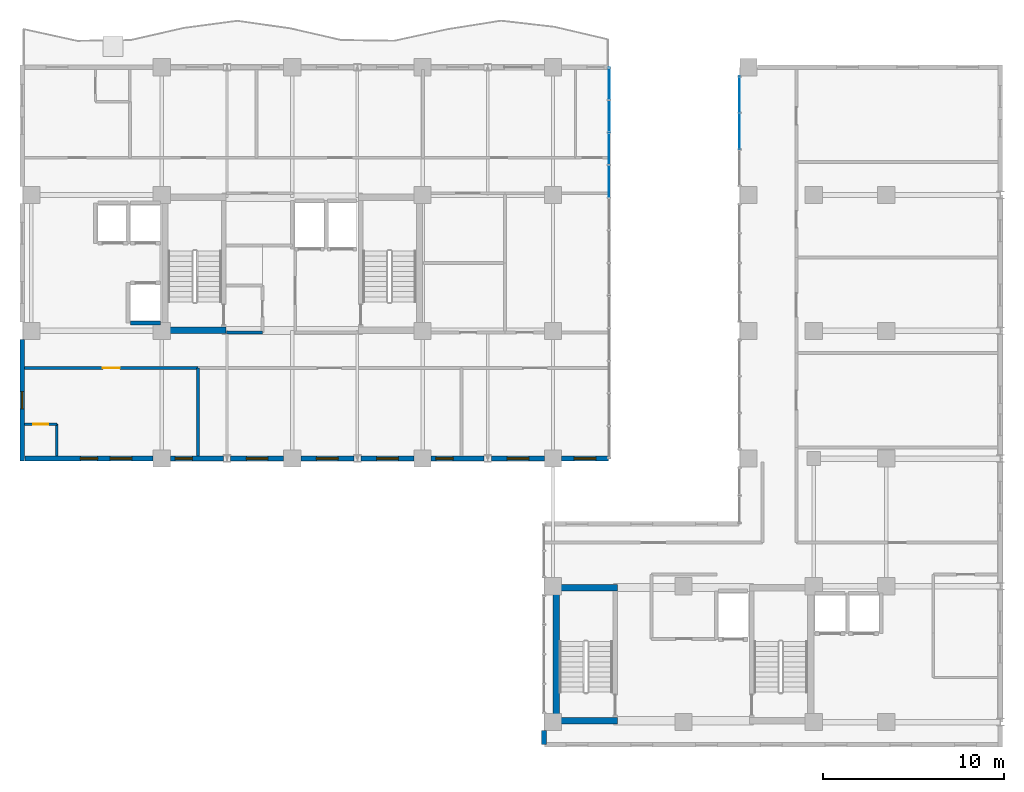
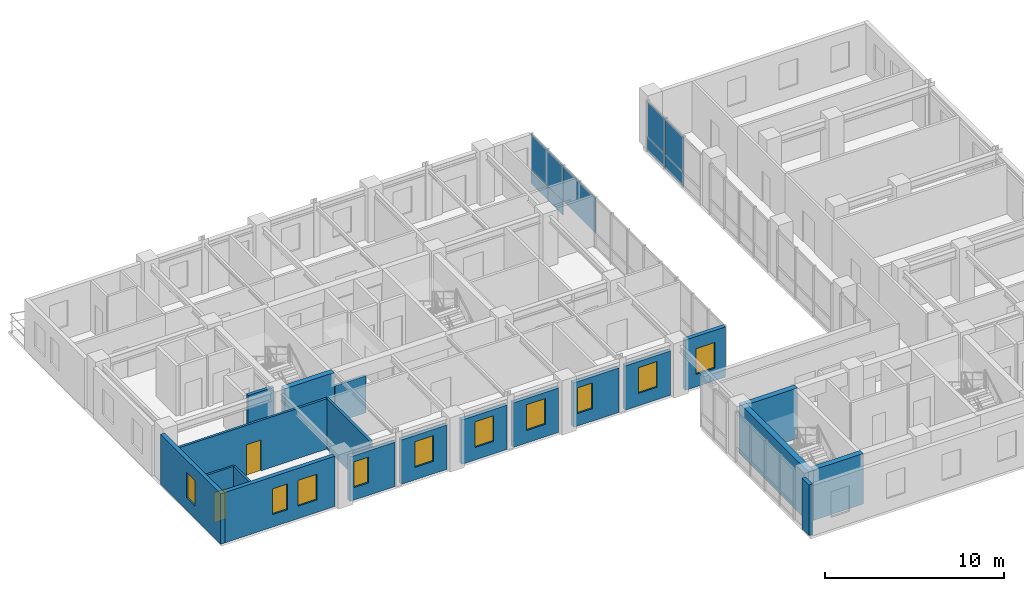
# One storey, part 16 of 24: 20 walls, 10 windows, 7 plates, 2 doors, 12 openings, 2 elements without a shape of their own.
"""IFC4 building model written with IfcOpenShell, lengths in metres."""

from ifc_helpers import new_model, si_unit, direction, frame, frame_2d, origin, origin_2d, place, context, subcontext, project, spatial, rectangle, extrude, source, transform, mapped, material, layer, layer_set, type_object, element, fill, aggregate, save


model = new_model("IFC4")

# Units and contexts
model_context = context("Model", 3, precision=1e-05, world=origin(), true_north=direction((0.0, 1.0)))
body_context = subcontext(model_context, "Body", "Model", "MODEL_VIEW")
ifc_project = project(units=[si_unit("LENGTHUNIT", "METRE"), si_unit("AREAUNIT", "SQUARE_METRE"), si_unit("VOLUMEUNIT", "CUBIC_METRE"), si_unit("PLANEANGLEUNIT", "RADIAN"), si_unit("MASSUNIT", "GRAM", prefix="KILO")], contexts=[model_context])

# Site, building, storey
site_placement = place(None, origin())
site = spatial("IfcSite", under=ifc_project, at=site_placement, CompositionType="ELEMENT")
building_placement = place(site_placement, origin())
building = spatial("IfcBuilding", under=site, at=building_placement, Name="Kaliganga Portal Commons", CompositionType="ELEMENT")
storey_placement = place(building_placement, frame((0.0, 0.0, 238.800048828125)))
storey = spatial("IfcBuildingStorey", under=building, at=storey_placement, Name="L61", CompositionType="ELEMENT", Elevation=238.800048828125)

# Curtain wall, plates
ifc_material_1 = material(Name="Anodized Aluminium and Laminated Low-E Glass", Category="aluminium")
ifc_layer_1 = layer(ifc_material_1, 0.239990234375)
ifc_layer_set_1 = layer_set([ifc_layer_1], Name="Anodized Aluminium and Laminated Low-E Glass")
curtain_wall_type = type_object("IfcCurtainWallType", Name="CW-SYS-04", PredefinedType="NOTDEFINED", material=ifc_layer_set_1)
curtain_wall_1_placement = place(storey_placement, origin())
curtain_wall_1 = element("IfcCurtainWall", 1, at=curtain_wall_1_placement, inside=storey, type_object=curtain_wall_type, Name="CW 04 L61 P1E01S1", PredefinedType="NOTDEFINED")
ifc_material_2 = material(Name="Insulated Dark Spandrel Panel", Category="metal")
ifc_layer_2 = layer(ifc_material_2, 0.044921875)
ifc_layer_set_2 = layer_set([ifc_layer_2], Name="Insulated Dark Spandrel Panel")
plate_type_1 = type_object("IfcPlateType", Name="PLT-SPN-45", PredefinedType="SHEET", material=ifc_layer_set_2)
shared_shape_1 = source(origin(), body_context, "Body", "SweptSolid", [
    extrude(rectangle(XDim=3.56005859375, YDim=0.044921875, at=origin_2d()), origin(), (0.0, 0.0, 1.0), 0.929931640625),
])
plate_1_placement = place(storey_placement, frame((39.10009765625, 41.39990234375, 0.009765625), z_axis=(0.0, 0.0, 1.0), x_axis=(0.0, 1.0, 0.0)))
plate_1 = element("IfcPlate", 2, at=plate_1_placement, type_object=plate_type_1, Name="CW:04:L61:P1E01S1 Spandrel 10", PredefinedType="SHEET", context=body_context, shape_type="MappedRepresentation", body=[
    mapped(shared_shape_1, transform((0.0, 0.0, 0.0), x_axis=(1.0, 0.0, 0.0), y_axis=(0.0, 1.0, 0.0), z_axis=(0.0, 0.0, 1.0), scale=1.0)),
])
ifc_material_3 = material(Name="Dark Solar-Control Laminated Low-E IGU", Category="glass")
ifc_layer_3 = layer(ifc_material_3, 0.028076171875)
ifc_layer_set_3 = layer_set([ifc_layer_3], Name="Dark Solar-Control Laminated Low-E IGU")
plate_type_2 = type_object("IfcPlateType", Name="PLT-GLZ-28", PredefinedType="CURTAIN_PANEL", material=ifc_layer_set_3)
shared_shape_2 = source(origin(), body_context, "Body", "SweptSolid", [
    extrude(rectangle(XDim=3.56005859375, YDim=0.028076171875, at=origin_2d()), origin(), (0.0, 0.0, 1.0), 2.389892578125),
])
plate_2_placement = place(storey_placement, frame((39.10009765625, 37.800048828125, 0.9599609375), z_axis=(0.0, 0.0, 1.0), x_axis=(0.0, 1.0, 0.0)))
plate_2 = element("IfcPlate", 3, at=plate_2_placement, type_object=plate_type_2, Name="CW:04:L61:P1E01S1 Vision IGU 08", PredefinedType="CURTAIN_PANEL", context=body_context, shape_type="MappedRepresentation", body=[
    mapped(shared_shape_2, transform((0.0, 0.0, 0.0), x_axis=(1.0, 0.0, 0.0), y_axis=(0.0, 1.0, 0.0), z_axis=(0.0, 0.0, 1.0), scale=1.0)),
])
plate_3_placement = place(storey_placement, frame((39.10009765625, 41.39990234375, 0.9599609375), z_axis=(0.0, 0.0, 1.0), x_axis=(0.0, 1.0, 0.0)))
plate_3 = element("IfcPlate", 4, at=plate_3_placement, type_object=plate_type_2, Name="CW:04:L61:P1E01S1 Vision IGU 10", PredefinedType="CURTAIN_PANEL", context=body_context, shape_type="MappedRepresentation", body=[
    mapped(shared_shape_2, transform((0.0, 0.0, 0.0), x_axis=(1.0, 0.0, 0.0), y_axis=(0.0, 1.0, 0.0), z_axis=(0.0, 0.0, 1.0), scale=1.0)),
])
aggregate(curtain_wall_1, [plate_2, plate_1, plate_3])

curtain_wall_2_placement = place(storey_placement, origin())
curtain_wall_2 = element("IfcCurtainWall", 5, at=curtain_wall_2_placement, inside=storey, type_object=curtain_wall_type, Name="CW 04 L61 P2E03S1", PredefinedType="NOTDEFINED")
shared_shape_3 = source(origin(), body_context, "Body", "SweptSolid", [
    extrude(rectangle(XDim=1.99267578125, YDim=0.044921875, at=origin_2d()), origin(), (0.0, 0.0, 1.0), 0.929931640625),
])
plate_4_placement = place(storey_placement, frame((46.300048828125, 41.707763671875, 0.009765625), z_axis=(0.0, 0.0, 1.0), x_axis=(0.0, -1.0, 0.0)))
plate_4 = element("IfcPlate", 6, at=plate_4_placement, type_object=plate_type_1, Name="CW:04:L61:P2E03S1 Spandrel 00", PredefinedType="SHEET", context=body_context, shape_type="MappedRepresentation", body=[
    mapped(shared_shape_3, transform((0.0, 0.0, 0.0), x_axis=(1.0, 0.0, 0.0), y_axis=(0.0, 1.0, 0.0), z_axis=(0.0, 0.0, 1.0), scale=1.0)),
])
plate_5_placement = place(storey_placement, frame((46.300048828125, 39.675048828125, 0.009765625), z_axis=(0.0, 0.0, 1.0), x_axis=(0.0, -1.0, 0.0)))
plate_5 = element("IfcPlate", 7, at=plate_5_placement, type_object=plate_type_1, Name="CW:04:L61:P2E03S1 Spandrel 01", PredefinedType="SHEET", context=body_context, shape_type="MappedRepresentation", body=[
    mapped(shared_shape_3, transform((0.0, 0.0, 0.0), x_axis=(1.0, 0.0, 0.0), y_axis=(0.0, 1.0, 0.0), z_axis=(0.0, 0.0, 1.0), scale=1.0)),
])
shared_shape_4 = source(origin(), body_context, "Body", "SweptSolid", [
    extrude(rectangle(XDim=1.99267578125, YDim=0.028076171875, at=origin_2d()), origin(), (0.0, 0.0, 1.0), 2.389892578125),
])
plate_6_placement = place(storey_placement, frame((46.300048828125, 41.707763671875, 0.9599609375), z_axis=(0.0, 0.0, 1.0), x_axis=(0.0, -1.0, 0.0)))
plate_6 = element("IfcPlate", 8, at=plate_6_placement, type_object=plate_type_2, Name="CW:04:L61:P2E03S1 Vision IGU 00", PredefinedType="CURTAIN_PANEL", context=body_context, shape_type="MappedRepresentation", body=[
    mapped(shared_shape_4, transform((0.0, 0.0, 0.0), x_axis=(1.0, 0.0, 0.0), y_axis=(0.0, 1.0, 0.0), z_axis=(0.0, 0.0, 1.0), scale=1.0)),
])
plate_7_placement = place(storey_placement, frame((46.300048828125, 39.675048828125, 0.9599609375), z_axis=(0.0, 0.0, 1.0), x_axis=(0.0, -1.0, 0.0)))
plate_7 = element("IfcPlate", 9, at=plate_7_placement, type_object=plate_type_2, Name="CW:04:L61:P2E03S1 Vision IGU 01", PredefinedType="CURTAIN_PANEL", context=body_context, shape_type="MappedRepresentation", body=[
    mapped(shared_shape_4, transform((0.0, 0.0, 0.0), x_axis=(1.0, 0.0, 0.0), y_axis=(0.0, 1.0, 0.0), z_axis=(0.0, 0.0, 1.0), scale=1.0)),
])
aggregate(curtain_wall_2, [plate_4, plate_6, plate_5, plate_7])

# Walls
ifc_material_4 = material(Name="Concrete C50/60", Category="concrete")
ifc_layer_4 = layer(ifc_material_4, 0.35009765625)
ifc_layer_set_4 = layer_set([ifc_layer_4], Name="Concrete C50/60")
wall_type_1 = type_object("IfcWallType", Name="WL-CORE-350", PredefinedType="SHEAR", material=ifc_layer_set_4)
wall_1_placement = place(storey_placement, frame((14.75, 28.675048828125, 0.0), z_axis=(0.0, 0.0, 1.0), x_axis=(1.0, 0.0, 0.0)))
element("IfcWall", 10, at=wall_1_placement, inside=storey, type_object=wall_type_1, Name="Core A S-West Shear Wall L61", PredefinedType="SHEAR", context=body_context, shape_type="SweptSolid", body=[
    extrude(rectangle(XDim=3.199951171875, YDim=0.35009765625, at=frame_2d((1.60009765625, 0.0))), origin(), (0.0, 0.0, 1.0), 3.43994140625),
])
wall_2_placement = place(storey_placement, frame((36.175048828125, 6.949951171875, 0.0), z_axis=(0.0, 0.0, 1.0), x_axis=(0.0, 1.0, 0.0)))
element("IfcWall", 11, at=wall_2_placement, inside=storey, type_object=wall_type_1, Name="Core B West Shear Wall L61", PredefinedType="SHEAR", context=body_context, shape_type="SweptSolid", body=[
    extrude(rectangle(XDim=7.699951171875, YDim=0.35009765625, at=frame_2d((3.85009765625, 0.0))), origin(), (0.0, 0.0, 1.0), 3.43994140625),
])
for number, where, z_axis, x_axis, name in (
    (12, (36.35009765625, 7.125, 0.0), (0.0, 0.0, 1.0), (1.0, 0.0, 0.0), "Core B S-West Shear Wall L61"),
    (13, (36.35009765625, 14.47509765625, 0.0), (0.0, 0.0, 1.0), (1.0, 0.0, 0.0), "Core B N-West Shear Wall L61"),
):
    element("IfcWall", number, at=place(storey_placement, frame(where, z_axis=z_axis, x_axis=x_axis)), inside=storey, type_object=wall_type_1, Name=name, PredefinedType="SHEAR", context=body_context, shape_type="SweptSolid", body=[
        extrude(rectangle(XDim=3.199951171875, YDim=0.35009765625, at=frame_2d((1.60009765625, 0.0))), origin(), (0.0, 0.0, 1.0), 3.43994140625),
    ])

# Wall, openings, windows
ifc_material_5 = material(Name="Insulated Aluminium-Clad Spandrel Assembly", Category="aluminium")
ifc_layer_5 = layer(ifc_material_5, 0.260009765625)
ifc_layer_set_5 = layer_set([ifc_layer_5], Name="Insulated Aluminium-Clad Spandrel Assembly")
wall_type_2 = type_object("IfcWallType", Name="WL-EXT-SPAND-260", PredefinedType="STANDARD", material=ifc_layer_set_5)
wall_3_placement = place(storey_placement, frame((13.924072265625, 21.60009765625, 0.0), z_axis=(0.0, 0.0, 1.0), x_axis=(-1.0, 0.0, 0.0)))
wall_3 = element("IfcWall", 14, at=wall_3_placement, inside=storey, type_object=wall_type_2, Name="Exterior Envelope Wall L61 P1-E00-S1", PredefinedType="STANDARD", context=body_context, shape_type="SweptSolid", body=[
    extrude(rectangle(XDim=7.089111328125, YDim=0.260009765625, at=frame_2d((3.54443359375, 0.0))), origin(), (0.0, 0.0, 1.0), 3.419921875),
])
opening_1_placement = place(wall_3_placement, frame((1.17236328125, 0.0, 0.85009765625)))
opening_1 = element("IfcOpeningElement", 15, at=opening_1_placement, cuts=wall_3, Name="Opening W-03", PredefinedType="OPENING", context=body_context, shape_type="SweptSolid", body=[
    extrude(rectangle(XDim=1.199951171875, YDim=1.75, at=frame_2d((0.60009765625, 0.875))), frame((0.0, 0.14013671875, 0.0), z_axis=(0.0, -1.0, 0.0), x_axis=(1.0, 0.0, 0.0)), (0.0, 0.0, 1.0), 0.280029296875),
])
opening_2_placement = place(wall_3_placement, frame((3.069580078125, 0.0, 0.85009765625)))
opening_2 = element("IfcOpeningElement", 16, at=opening_2_placement, cuts=wall_3, Name="Opening W-04", PredefinedType="OPENING", context=body_context, shape_type="SweptSolid", body=[
    extrude(rectangle(XDim=0.949951171875, YDim=1.75, at=frame_2d((0.47509765625, 0.875))), frame((0.0, 0.14013671875, 0.0), z_axis=(0.0, -1.0, 0.0), x_axis=(1.0, 0.0, 0.0)), (0.0, 0.0, 1.0), 0.280029296875),
])
ifc_material_6 = material(Name="Thermally Broken Aluminium and Low-E Double Glazing", Category="aluminium")
window_type_1 = type_object("IfcWindowType", Name="WIN-NARROW-950", PartitioningType="SINGLE_PANEL", PredefinedType="WINDOW", material=ifc_material_6)
window_1_placement = place(opening_2_placement, origin())
window_1 = element("IfcWindow", 17, at=window_1_placement, inside=storey, type_object=window_type_1, Name="Facade Window L61-P1E00S1-N0", OverallHeight=1.75, OverallWidth=0.949951171875, PartitioningType="SINGLE_PANEL", PredefinedType="WINDOW", context=body_context, shape_type="SweptSolid", body=[
    extrude(rectangle(XDim=0.949951171875, YDim=1.75, at=frame_2d((0.47509765625, 0.875))), frame((0.0, 0.030029296875, 0.0), z_axis=(0.0, -1.0, 0.0), x_axis=(1.0, 0.0, 0.0)), (0.0, 0.0, 1.0), 0.06005859375),
])
fill(opening_2, window_1)
window_type_2 = type_object("IfcWindowType", Name="WIN-STD-1200", PartitioningType="SINGLE_PANEL", PredefinedType="WINDOW", material=ifc_material_6)
window_2_placement = place(opening_1_placement, origin())
window_2 = element("IfcWindow", 18, at=window_2_placement, inside=storey, type_object=window_type_2, Name="Facade Window L61-P1E00S1-00", OverallHeight=1.75, OverallWidth=1.199951171875, PartitioningType="SINGLE_PANEL", PredefinedType="WINDOW", context=body_context, shape_type="SweptSolid", body=[
    extrude(rectangle(XDim=1.199951171875, YDim=1.75, at=frame_2d((0.60009765625, 0.875))), frame((0.0, 0.030029296875, 0.0), z_axis=(0.0, -1.0, 0.0), x_axis=(1.0, 0.0, 0.0)), (0.0, 0.0, 1.0), 0.06005859375),
])
fill(opening_1, window_2)

# Wall, opening, window
wall_4_placement = place(storey_placement, frame((17.799560546875, 21.60009765625, 0.0), z_axis=(0.0, 0.0, 1.0), x_axis=(-1.0, 0.0, 0.0)))
wall_4 = element("IfcWall", 19, at=wall_4_placement, inside=storey, type_object=wall_type_2, Name="Exterior Envelope Wall L61 P1-E00-S2", PredefinedType="STANDARD", context=body_context, shape_type="SweptSolid", body=[
    extrude(rectangle(XDim=2.923583984375, YDim=0.260009765625, at=frame_2d((1.4619140625, 0.0))), origin(), (0.0, 0.0, 1.0), 3.02001953125),
])
opening_3_placement = place(wall_4_placement, frame((1.7119140625, 0.0, 0.85009765625)))
opening_3 = element("IfcOpeningElement", 20, at=opening_3_placement, cuts=wall_4, Name="Opening W-04", PredefinedType="OPENING", context=body_context, shape_type="SweptSolid", body=[
    extrude(rectangle(XDim=0.949951171875, YDim=1.75, at=frame_2d((0.47509765625, 0.875))), frame((0.0, 0.14013671875, 0.0), z_axis=(0.0, -1.0, 0.0), x_axis=(1.0, 0.0, 0.0)), (0.0, 0.0, 1.0), 0.280029296875),
])
window_3_placement = place(opening_3_placement, origin())
window_3 = element("IfcWindow", 21, at=window_3_placement, inside=storey, type_object=window_type_1, Name="Facade Window L61-P1E00S2-N2", OverallHeight=1.75, OverallWidth=0.949951171875, PartitioningType="SINGLE_PANEL", PredefinedType="WINDOW", context=body_context, shape_type="SweptSolid", body=[
    extrude(rectangle(XDim=0.949951171875, YDim=1.75, at=frame_2d((0.47509765625, 0.875))), frame((0.0, 0.030029296875, 0.0), z_axis=(0.0, -1.0, 0.0), x_axis=(1.0, 0.0, 0.0)), (0.0, 0.0, 1.0), 0.06005859375),
])
fill(opening_3, window_3)

wall_5_placement = place(storey_placement, frame((21.1240234375, 21.60009765625, 0.0), z_axis=(0.0, 0.0, 1.0), x_axis=(-1.0, 0.0, 0.0)))
wall_5 = element("IfcWall", 22, at=wall_5_placement, inside=storey, type_object=wall_type_2, Name="Exterior Envelope Wall L61 P1-E00-S3", PredefinedType="STANDARD", context=body_context, shape_type="SweptSolid", body=[
    extrude(rectangle(XDim=2.923583984375, YDim=0.260009765625, at=frame_2d((1.4619140625, 0.0))), origin(), (0.0, 0.0, 1.0), 3.02001953125),
])
opening_4_placement = place(wall_5_placement, frame((0.86181640625, 0.0, 0.85009765625)))
opening_4 = element("IfcOpeningElement", 23, at=opening_4_placement, cuts=wall_5, Name="Opening W-03", PredefinedType="OPENING", context=body_context, shape_type="SweptSolid", body=[
    extrude(rectangle(XDim=1.199951171875, YDim=1.75, at=frame_2d((0.60009765625, 0.875))), frame((0.0, 0.14013671875, 0.0), z_axis=(0.0, -1.0, 0.0), x_axis=(1.0, 0.0, 0.0)), (0.0, 0.0, 1.0), 0.280029296875),
])
window_4_placement = place(opening_4_placement, origin())
window_4 = element("IfcWindow", 24, at=window_4_placement, inside=storey, type_object=window_type_2, Name="Facade Window L61-P1E00S3-00", OverallHeight=1.75, OverallWidth=1.199951171875, PartitioningType="SINGLE_PANEL", PredefinedType="WINDOW", context=body_context, shape_type="SweptSolid", body=[
    extrude(rectangle(XDim=1.199951171875, YDim=1.75, at=frame_2d((0.60009765625, 0.875))), frame((0.0, 0.030029296875, 0.0), z_axis=(0.0, -1.0, 0.0), x_axis=(1.0, 0.0, 0.0)), (0.0, 0.0, 1.0), 0.06005859375),
])
fill(opening_4, window_4)

wall_6_placement = place(storey_placement, frame((24.99951171875, 21.60009765625, 0.0), z_axis=(0.0, 0.0, 1.0), x_axis=(-1.0, 0.0, 0.0)))
wall_6 = element("IfcWall", 25, at=wall_6_placement, inside=storey, type_object=wall_type_2, Name="Exterior Envelope Wall L61 P1-E00-S4", PredefinedType="STANDARD", context=body_context, shape_type="SweptSolid", body=[
    extrude(rectangle(XDim=2.923583984375, YDim=0.260009765625, at=frame_2d((1.4619140625, 0.0))), origin(), (0.0, 0.0, 1.0), 3.02001953125),
])
opening_5_placement = place(wall_6_placement, frame((0.86181640625, 0.0, 0.85009765625)))
opening_5 = element("IfcOpeningElement", 26, at=opening_5_placement, cuts=wall_6, Name="Opening W-03", PredefinedType="OPENING", context=body_context, shape_type="SweptSolid", body=[
    extrude(rectangle(XDim=1.199951171875, YDim=1.75, at=frame_2d((0.60009765625, 0.875))), frame((0.0, 0.14013671875, 0.0), z_axis=(0.0, -1.0, 0.0), x_axis=(1.0, 0.0, 0.0)), (0.0, 0.0, 1.0), 0.280029296875),
])
window_5_placement = place(opening_5_placement, origin())
window_5 = element("IfcWindow", 27, at=window_5_placement, inside=storey, type_object=window_type_2, Name="Facade Window L61-P1E00S4-00", OverallHeight=1.75, OverallWidth=1.199951171875, PartitioningType="SINGLE_PANEL", PredefinedType="WINDOW", context=body_context, shape_type="SweptSolid", body=[
    extrude(rectangle(XDim=1.199951171875, YDim=1.75, at=frame_2d((0.60009765625, 0.875))), frame((0.0, 0.030029296875, 0.0), z_axis=(0.0, -1.0, 0.0), x_axis=(1.0, 0.0, 0.0)), (0.0, 0.0, 1.0), 0.06005859375),
])
fill(opening_5, window_5)

wall_7_placement = place(storey_placement, frame((28.323974609375, 21.60009765625, 0.0), z_axis=(0.0, 0.0, 1.0), x_axis=(-1.0, 0.0, 0.0)))
wall_7 = element("IfcWall", 28, at=wall_7_placement, inside=storey, type_object=wall_type_2, Name="Exterior Envelope Wall L61 P1-E00-S5", PredefinedType="STANDARD", context=body_context, shape_type="SweptSolid", body=[
    extrude(rectangle(XDim=2.923583984375, YDim=0.260009765625, at=frame_2d((1.4619140625, 0.0))), origin(), (0.0, 0.0, 1.0), 3.02001953125),
])
opening_6_placement = place(wall_7_placement, frame((0.86181640625, 0.0, 0.85009765625)))
opening_6 = element("IfcOpeningElement", 29, at=opening_6_placement, cuts=wall_7, Name="Opening W-03", PredefinedType="OPENING", context=body_context, shape_type="SweptSolid", body=[
    extrude(rectangle(XDim=1.199951171875, YDim=1.75, at=frame_2d((0.60009765625, 0.875))), frame((0.0, 0.14013671875, 0.0), z_axis=(0.0, -1.0, 0.0), x_axis=(1.0, 0.0, 0.0)), (0.0, 0.0, 1.0), 0.280029296875),
])
window_6_placement = place(opening_6_placement, origin())
window_6 = element("IfcWindow", 30, at=window_6_placement, inside=storey, type_object=window_type_2, Name="Facade Window L61-P1E00S5-00", OverallHeight=1.75, OverallWidth=1.199951171875, PartitioningType="SINGLE_PANEL", PredefinedType="WINDOW", context=body_context, shape_type="SweptSolid", body=[
    extrude(rectangle(XDim=1.199951171875, YDim=1.75, at=frame_2d((0.60009765625, 0.875))), frame((0.0, 0.030029296875, 0.0), z_axis=(0.0, -1.0, 0.0), x_axis=(1.0, 0.0, 0.0)), (0.0, 0.0, 1.0), 0.06005859375),
])
fill(opening_6, window_6)

wall_8_placement = place(storey_placement, frame((32.199462890625, 21.60009765625, 0.0), z_axis=(0.0, 0.0, 1.0), x_axis=(-1.0, 0.0, 0.0)))
wall_8 = element("IfcWall", 31, at=wall_8_placement, inside=storey, type_object=wall_type_2, Name="Exterior Envelope Wall L61 P1-E00-S6", PredefinedType="STANDARD", context=body_context, shape_type="SweptSolid", body=[
    extrude(rectangle(XDim=2.923583984375, YDim=0.260009765625, at=frame_2d((1.4619140625, 0.0))), origin(), (0.0, 0.0, 1.0), 3.02001953125),
])
opening_7_placement = place(wall_8_placement, frame((1.7119140625, 0.0, 0.85009765625)))
opening_7 = element("IfcOpeningElement", 32, at=opening_7_placement, cuts=wall_8, Name="Opening W-04", PredefinedType="OPENING", context=body_context, shape_type="SweptSolid", body=[
    extrude(rectangle(XDim=0.949951171875, YDim=1.75, at=frame_2d((0.47509765625, 0.875))), frame((0.0, 0.14013671875, 0.0), z_axis=(0.0, -1.0, 0.0), x_axis=(1.0, 0.0, 0.0)), (0.0, 0.0, 1.0), 0.280029296875),
])
window_7_placement = place(opening_7_placement, origin())
window_7 = element("IfcWindow", 33, at=window_7_placement, inside=storey, type_object=window_type_1, Name="Facade Window L61-P1E00S6-N2", OverallHeight=1.75, OverallWidth=0.949951171875, PartitioningType="SINGLE_PANEL", PredefinedType="WINDOW", context=body_context, shape_type="SweptSolid", body=[
    extrude(rectangle(XDim=0.949951171875, YDim=1.75, at=frame_2d((0.47509765625, 0.875))), frame((0.0, 0.030029296875, 0.0), z_axis=(0.0, -1.0, 0.0), x_axis=(1.0, 0.0, 0.0)), (0.0, 0.0, 1.0), 0.06005859375),
])
fill(opening_7, window_7)

wall_9_placement = place(storey_placement, frame((35.52392578125, 21.60009765625, 0.0), z_axis=(0.0, 0.0, 1.0), x_axis=(-1.0, 0.0, 0.0)))
wall_9 = element("IfcWall", 34, at=wall_9_placement, inside=storey, type_object=wall_type_2, Name="Exterior Envelope Wall L61 P1-E00-S7", PredefinedType="STANDARD", context=body_context, shape_type="SweptSolid", body=[
    extrude(rectangle(XDim=2.92333984375, YDim=0.260009765625, at=frame_2d((1.461669921875, 0.0))), origin(), (0.0, 0.0, 1.0), 3.02001953125),
])
opening_8_placement = place(wall_9_placement, frame((0.86181640625, 0.0, 0.85009765625)))
opening_8 = element("IfcOpeningElement", 35, at=opening_8_placement, cuts=wall_9, Name="Opening W-03", PredefinedType="OPENING", context=body_context, shape_type="SweptSolid", body=[
    extrude(rectangle(XDim=1.199951171875, YDim=1.75, at=frame_2d((0.60009765625, 0.875))), frame((0.0, 0.14013671875, 0.0), z_axis=(0.0, -1.0, 0.0), x_axis=(1.0, 0.0, 0.0)), (0.0, 0.0, 1.0), 0.280029296875),
])
window_8_placement = place(opening_8_placement, origin())
window_8 = element("IfcWindow", 36, at=window_8_placement, inside=storey, type_object=window_type_2, Name="Facade Window L61-P1E00S7-00", OverallHeight=1.75, OverallWidth=1.199951171875, PartitioningType="SINGLE_PANEL", PredefinedType="WINDOW", context=body_context, shape_type="SweptSolid", body=[
    extrude(rectangle(XDim=1.199951171875, YDim=1.75, at=frame_2d((0.60009765625, 0.875))), frame((0.0, 0.030029296875, 0.0), z_axis=(0.0, -1.0, 0.0), x_axis=(1.0, 0.0, 0.0)), (0.0, 0.0, 1.0), 0.06005859375),
])
fill(opening_8, window_8)

wall_10_placement = place(storey_placement, frame((39.06298828125, 21.60009765625, 0.0), z_axis=(0.0, 0.0, 1.0), x_axis=(-1.0, 0.0, 0.0)))
wall_10 = element("IfcWall", 37, at=wall_10_placement, inside=storey, type_object=wall_type_2, Name="Exterior Envelope Wall L61 P1-E00-S8", PredefinedType="STANDARD", context=body_context, shape_type="SweptSolid", body=[
    extrude(rectangle(XDim=2.5869140625, YDim=0.260009765625, at=frame_2d((1.29345703125, 0.0))), origin(), (0.0, 0.0, 1.0), 3.419921875),
])
opening_9_placement = place(wall_10_placement, frame((0.693603515625, 0.0, 0.85009765625)))
opening_9 = element("IfcOpeningElement", 38, at=opening_9_placement, cuts=wall_10, Name="Opening W-03", PredefinedType="OPENING", context=body_context, shape_type="SweptSolid", body=[
    extrude(rectangle(XDim=1.199951171875, YDim=1.75, at=frame_2d((0.60009765625, 0.875))), frame((0.0, 0.14013671875, 0.0), z_axis=(0.0, -1.0, 0.0), x_axis=(1.0, 0.0, 0.0)), (0.0, 0.0, 1.0), 0.280029296875),
])
window_9_placement = place(opening_9_placement, origin())
window_9 = element("IfcWindow", 39, at=window_9_placement, inside=storey, type_object=window_type_2, Name="Facade Window L61-P1E00S8-00", OverallHeight=1.75, OverallWidth=1.199951171875, PartitioningType="SINGLE_PANEL", PredefinedType="WINDOW", context=body_context, shape_type="SweptSolid", body=[
    extrude(rectangle(XDim=1.199951171875, YDim=1.75, at=frame_2d((0.60009765625, 0.875))), frame((0.0, 0.030029296875, 0.0), z_axis=(0.0, -1.0, 0.0), x_axis=(1.0, 0.0, 0.0)), (0.0, 0.0, 1.0), 0.06005859375),
])
fill(opening_9, window_9)

wall_11_placement = place(storey_placement, frame((6.699951171875, 21.469970703125, 0.0), z_axis=(0.0, 0.0, 1.0), x_axis=(0.0, 1.0, 0.0)))
wall_11 = element("IfcWall", 40, at=wall_11_placement, inside=storey, type_object=wall_type_2, Name="Exterior Envelope Wall L61 P1-E03-S3", PredefinedType="STANDARD", context=body_context, shape_type="SweptSolid", body=[
    extrude(rectangle(XDim=6.7041015625, YDim=0.260009765625, at=frame_2d((3.35205078125, 0.0))), origin(), (0.0, 0.0, 1.0), 3.419921875),
])
opening_10_placement = place(wall_11_placement, frame((2.876953125, 0.0, 0.85009765625)))
opening_10 = element("IfcOpeningElement", 41, at=opening_10_placement, cuts=wall_11, Name="Opening W-04", PredefinedType="OPENING", context=body_context, shape_type="SweptSolid", body=[
    extrude(rectangle(XDim=0.949951171875, YDim=1.75, at=frame_2d((0.47509765625, 0.875))), frame((0.0, 0.14013671875, 0.0), z_axis=(0.0, -1.0, 0.0), x_axis=(1.0, 0.0, 0.0)), (0.0, 0.0, 1.0), 0.280029296875),
])
window_10_placement = place(opening_10_placement, origin())
window_10 = element("IfcWindow", 42, at=window_10_placement, inside=storey, type_object=window_type_1, Name="Facade Window L61-P1E03S3-N0", OverallHeight=1.75, OverallWidth=0.949951171875, PartitioningType="SINGLE_PANEL", PredefinedType="WINDOW", context=body_context, shape_type="SweptSolid", body=[
    extrude(rectangle(XDim=0.949951171875, YDim=1.75, at=frame_2d((0.47509765625, 0.875))), frame((0.0, 0.030029296875, 0.0), z_axis=(0.0, -1.0, 0.0), x_axis=(1.0, 0.0, 0.0)), (0.0, 0.0, 1.0), 0.06005859375),
])
fill(opening_10, window_10)

# Wall
wall_12_placement = place(storey_placement, frame((35.5, 5.800048828125, 0.0), z_axis=(0.0, 0.0, 1.0), x_axis=(0.0, 1.0, 0.0)))
element("IfcWall", 43, at=wall_12_placement, inside=storey, type_object=wall_type_2, Name="Exterior Spandrel Closure Pier L61 P2-E05-S3", PredefinedType="STANDARD", context=body_context, shape_type="SweptSolid", body=[
    extrude(rectangle(XDim=0.77392578125, YDim=0.260009765625, at=frame_2d((0.386962890625, 0.0))), origin(), (0.0, 0.0, 1.0), 3.43994140625),
])

# Wall, opening, door
ifc_material_7 = material(Name="Fire-Rated Gypsum Board on Steel Stud", Category="steel")
ifc_layer_6 = layer(ifc_material_7, 0.14990234375)
ifc_layer_set_6 = layer_set([ifc_layer_6], Name="Fire-Rated Gypsum Board on Steel Stud")
wall_type_3 = type_object("IfcWallType", Name="WL-PART-CORR-150", PredefinedType="PARTITIONING", material=ifc_layer_set_6)
wall_13_placement = place(storey_placement, frame((6.83203125, 26.60009765625, 0.0), z_axis=(0.0, 0.0, 1.0), x_axis=(1.0, 0.0, 0.0)))
wall_13 = element("IfcWall", 44, at=wall_13_placement, inside=storey, type_object=wall_type_3, Name="Interior Partition L61-009", PredefinedType="PARTITIONING", context=body_context, shape_type="SweptSolid", body=[
    extrude(rectangle(XDim=9.56787109375, YDim=0.14990234375, at=frame_2d((4.783935546875, 0.0))), origin(), (0.0, 0.0, 1.0), 3.419921875),
])
opening_11_placement = place(wall_13_placement, frame((4.30908203125, 0.0, 0.0)))
opening_11 = element("IfcOpeningElement", 45, at=opening_11_placement, cuts=wall_13, Name="Opening UD-01", PredefinedType="OPENING", context=body_context, shape_type="SweptSolid", body=[
    extrude(rectangle(XDim=0.949951171875, YDim=2.10009765625, at=frame_2d((0.47509765625, 1.050048828125))), frame((0.0, 0.0849609375, 0.0), z_axis=(0.0, -1.0, 0.0), x_axis=(1.0, 0.0, 0.0)), (0.0, 0.0, 1.0), 0.169921875),
])
ifc_material_8 = material(Name="Solid-Core Timber Acoustic Fire Door", Category="wood")
door_type_1 = type_object("IfcDoorType", Name="DR-UNIT-950", OperationType="NOTDEFINED", PredefinedType="DOOR", material=ifc_material_8)
door_1_placement = place(opening_11_placement, origin())
door_1 = element("IfcDoor", 46, at=door_1_placement, inside=storey, type_object=door_type_1, Name="Interior Door L61-AS01", OperationType="SINGLE_SWING_RIGHT", OverallHeight=2.10009765625, OverallWidth=0.949951171875, PredefinedType="DOOR", context=body_context, shape_type="SweptSolid", body=[
    extrude(rectangle(XDim=0.949951171875, YDim=2.10009765625, at=frame_2d((0.47509765625, 1.050048828125))), frame((0.0, 0.02490234375, 0.0), z_axis=(0.0, -1.0, 0.0), x_axis=(1.0, 0.0, 0.0)), (0.0, 0.0, 1.0), 0.050048828125),
])
fill(opening_11, door_1)

# Walls
wall_14_placement = place(storey_placement, frame((17.9599609375, 28.56005859375, 0.0), z_axis=(0.0, 0.0, 1.0), x_axis=(1.0, 0.0, 0.0)))
element("IfcWall", 47, at=wall_14_placement, inside=storey, type_object=wall_type_3, Name="Interior Partition L61-035", PredefinedType="PARTITIONING", context=body_context, shape_type="SweptSolid", body=[
    extrude(rectangle(XDim=2.0, YDim=0.14990234375, at=frame_2d((1.0, 0.0))), origin(), (0.0, 0.0, 1.0), 2.52001953125),
])
ifc_material_9 = material(Name="Twin-Stud Acoustic Gypsum Partition", Category="gypsum")
ifc_layer_7 = layer(ifc_material_9, 0.1650390625)
ifc_layer_set_7 = layer_set([ifc_layer_7], Name="Twin-Stud Acoustic Gypsum Partition")
wall_type_4 = type_object("IfcWallType", Name="WL-PART-UNIT-165", PredefinedType="PARTITIONING", material=ifc_layer_set_7)
wall_15_placement = place(storey_placement, frame((16.39990234375, 21.73193359375, 0.0), z_axis=(0.0, 0.0, 1.0), x_axis=(0.0, 1.0, 0.0)))
element("IfcWall", 48, at=wall_15_placement, inside=storey, type_object=wall_type_4, Name="Interior Partition L61-044", PredefinedType="PARTITIONING", context=body_context, shape_type="SweptSolid", body=[
    extrude(rectangle(XDim=4.8681640625, YDim=0.1650390625, at=frame_2d((2.43408203125, 0.0))), origin(), (0.0, 0.0, 1.0), 3.419921875),
])

# Wall, opening, door
ifc_material_10 = material(Name="Cement-Board Wet-Room Partition", Category="gypsum")
ifc_layer_8 = layer(ifc_material_10, 0.135009765625)
ifc_layer_set_8 = layer_set([ifc_layer_8], Name="Cement-Board Wet-Room Partition")
wall_type_5 = type_object("IfcWallType", Name="WL-PART-WET-135", PredefinedType="PARTITIONING", material=ifc_layer_set_8)
wall_16_placement = place(storey_placement, frame((6.83203125, 23.5, 0.0), z_axis=(0.0, 0.0, 1.0), x_axis=(1.0, 0.0, 0.0)))
wall_16 = element("IfcWall", 49, at=wall_16_placement, inside=storey, type_object=wall_type_5, Name="Interior Partition L61-004", PredefinedType="PARTITIONING", context=body_context, shape_type="SweptSolid", body=[
    extrude(rectangle(XDim=1.76806640625, YDim=0.135009765625, at=frame_2d((0.884033203125, 0.0))), origin(), (0.0, 0.0, 1.0), 3.419921875),
])
opening_12_placement = place(wall_16_placement, frame((0.458984375, 0.0, 0.0)))
opening_12 = element("IfcOpeningElement", 50, at=opening_12_placement, cuts=wall_16, Name="Opening WD-01", PredefinedType="OPENING", context=body_context, shape_type="SweptSolid", body=[
    extrude(rectangle(XDim=0.85009765625, YDim=2.0400390625, at=frame_2d((0.425048828125, 1.02001953125))), frame((0.0, 0.07763671875, 0.0), z_axis=(0.0, -1.0, 0.0), x_axis=(1.0, 0.0, 0.0)), (0.0, 0.0, 1.0), 0.155029296875),
])
ifc_material_11 = material(Name="Moisture-Resistant Laminate Timber Door", Category="wood")
door_type_2 = type_object("IfcDoorType", Name="DR-WET-850", OperationType="NOTDEFINED", PredefinedType="DOOR", material=ifc_material_11)
door_2_placement = place(opening_12_placement, origin())
door_2 = element("IfcDoor", 51, at=door_2_placement, inside=storey, type_object=door_type_2, Name="Interior Door L61-AS01E", OperationType="SINGLE_SWING_RIGHT", OverallHeight=2.0400390625, OverallWidth=0.85009765625, PredefinedType="DOOR", context=body_context, shape_type="SweptSolid", body=[
    extrude(rectangle(XDim=0.85009765625, YDim=2.0400390625, at=frame_2d((0.425048828125, 1.02001953125))), frame((0.0, 0.02490234375, 0.0), z_axis=(0.0, -1.0, 0.0), x_axis=(1.0, 0.0, 0.0)), (0.0, 0.0, 1.0), 0.050048828125),
])
fill(opening_12, door_2)

# Walls
wall_17_placement = place(storey_placement, frame((8.60009765625, 21.73193359375, 0.0), z_axis=(0.0, 0.0, 1.0), x_axis=(0.0, 1.0, 0.0)))
element("IfcWall", 52, at=wall_17_placement, inside=storey, type_object=wall_type_5, Name="Interior Partition L61-005", PredefinedType="PARTITIONING", context=body_context, shape_type="SweptSolid", body=[
    extrude(rectangle(XDim=1.76806640625, YDim=0.135009765625, at=frame_2d((0.884033203125, 0.0))), origin(), (0.0, 0.0, 1.0), 3.419921875),
])
ifc_material_12 = material(Name="Fire-Rated Shaftwall Masonry Assembly", Category="masonry")
ifc_layer_9 = layer(ifc_material_12, 0.199951171875)
ifc_layer_set_9 = layer_set([ifc_layer_9], Name="Fire-Rated Shaftwall Masonry Assembly")
wall_type_6 = type_object("IfcWallType", Name="WL-SHAFT-200", PredefinedType="PARTITIONING", material=ifc_layer_set_9)
wall_18_placement = place(storey_placement, frame((12.675048828125, 29.0849609375, 0.0), z_axis=(0.0, 0.0, 1.0), x_axis=(1.0, 0.0, 0.0)))
element("IfcWall", 53, at=wall_18_placement, inside=storey, type_object=wall_type_6, Name="Lift PL-A4 Hoistway Shaft Wall L61-S", PredefinedType="PARTITIONING", context=body_context, shape_type="SweptSolid", body=[
    extrude(rectangle(XDim=1.64990234375, YDim=0.199951171875, at=frame_2d((0.824951171875, 0.0))), origin(), (0.0, 0.0, 1.0), 3.419921875),
])

save(model, "model.ifc")
